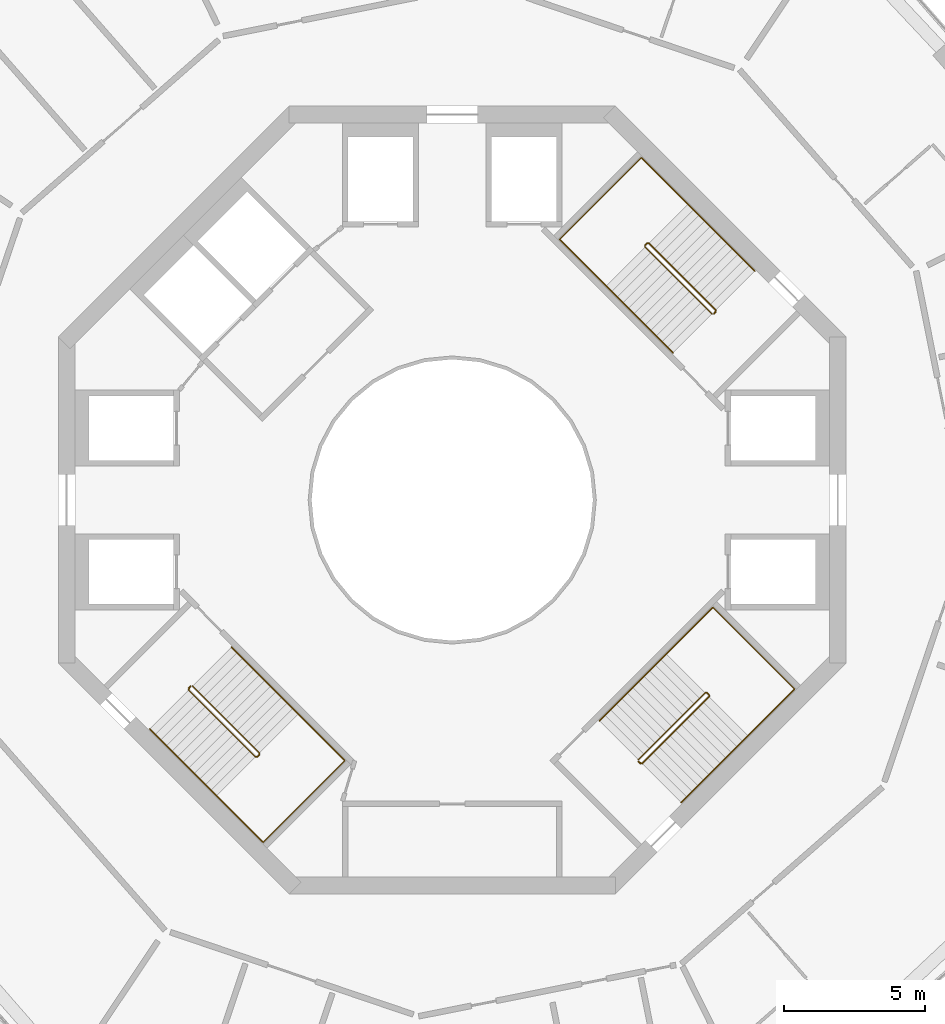
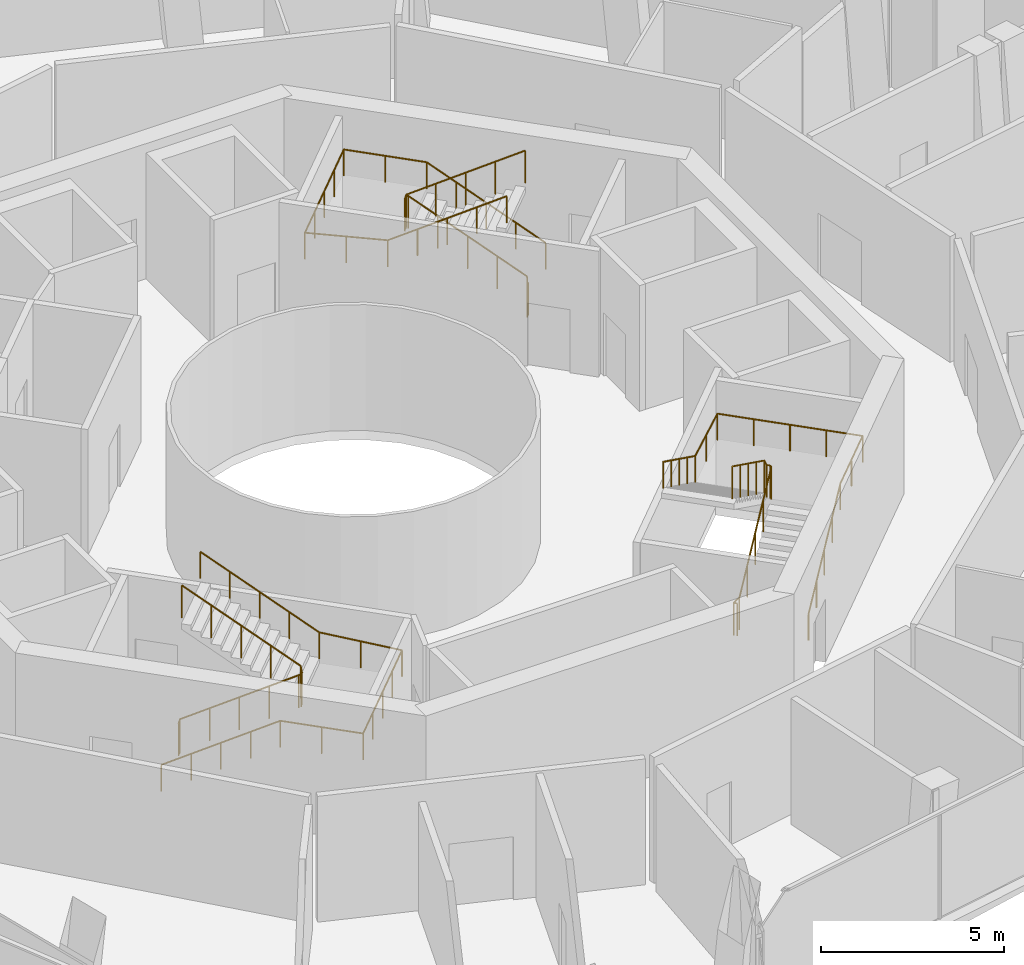
# One storey, part 17 of 17: 6 railings.
"""IFC4 building model written with IfcOpenShell, lengths in metres."""

from ifc_helpers import new_model, si_unit, direction, frame, origin, origin_2d, place, context, subcontext, project, spatial, circle, extrude, material, type_object, element, save


model = new_model("IFC4")

# Units and contexts
model_context = context("Model", 3, precision=1e-05, world=origin(), true_north=direction((0.0, 1.0)))
body_context = subcontext(model_context, "Body", "Model", "MODEL_VIEW")
ifc_project = project(units=[si_unit("LENGTHUNIT", "METRE"), si_unit("AREAUNIT", "SQUARE_METRE"), si_unit("VOLUMEUNIT", "CUBIC_METRE"), si_unit("PLANEANGLEUNIT", "RADIAN"), si_unit("MASSUNIT", "GRAM", prefix="KILO")], contexts=[model_context])

# Site, building, storey
site_placement = place(None, origin())
site = spatial("IfcSite", under=ifc_project, at=site_placement, CompositionType="ELEMENT")
building_placement = place(site_placement, origin())
building = spatial("IfcBuilding", under=site, at=building_placement, Name="Verdalira Terraces Hotel", CompositionType="ELEMENT")
storey_placement = place(building_placement, frame((0.0, 0.0, 201.0)))
storey = spatial("IfcBuildingStorey", under=building, at=storey_placement, Name="L49", CompositionType="ELEMENT", Elevation=201.0)

# Railings
ifc_material_1 = material(Name="Stainless steel", Category="steel")
railing_type_1 = type_object("IfcRailingType", Name="Stair guard 1100", PredefinedType="GUARDRAIL", material=ifc_material_1)
railing_1_placement = place(storey_placement, frame((9.369141, 6.682129, 0.0)))
element("IfcRailing", 1, at=railing_1_placement, inside=storey, type_object=railing_type_1, Name="L49 ST1 stair guard 1", PredefinedType="GUARDRAIL", context=body_context, shape_type="SweptSolid", body=[
    extrude(circle(Radius=0.023926, at=origin_2d()), frame((0.0, 0.0, 1.076172), z_axis=(-0.707106781, -0.707106781, 0.0), x_axis=(0.707106781, -0.707106781, 0.0)), (0.0, 0.0, 1.0), 0.100098),
    extrude(circle(Radius=0.023926, at=origin_2d()), frame((-0.070801, -0.070801, 1.076172), z_axis=(0.301824555, 0.60364911, 0.737908998), x_axis=(-0.894427191, 0.447213596, 0.0)), (0.0, 0.0, 1.0), 0.234619),
    extrude(circle(Radius=0.023926, at=origin_2d()), frame((0.0, 0.070801, 1.249023), z_axis=(-0.601505331, 0.601443524, 0.525791806), x_axis=(-0.707070449, -0.707143111, 0.0)), (0.0, 0.0, 1.0), 3.949951),
    extrude(circle(Radius=0.023926, at=origin_2d()), frame((-2.375977, 2.446533, 3.326172), z_axis=(-1.0, 0.0, 0.0), x_axis=(0.0, -1.0, 0.0)), (0.0, 0.0, 1.0), 0.070557),
    extrude(circle(Radius=0.023926, at=origin_2d()), frame((-2.446533, 2.446533, 3.326172), z_axis=(-0.70832698, -0.705884473, 0.0), x_axis=(0.705884473, -0.70832698, 0.0)), (0.0, 0.0, 1.0), 0.099854),
    extrude(circle(Radius=0.023926, at=origin_2d()), frame((-2.517334, 2.375977, 3.326172), z_axis=(0.0, -0.378582013, 0.92556775), x_axis=(1.0, 0.0, 0.0)), (0.0, 0.0, 1.0), 0.187012),
    extrude(circle(Radius=0.023926, at=origin_2d()), frame((-2.517334, 2.305176, 3.499023), z_axis=(0.601482972, -0.601482972, 0.52577226), x_axis=(0.707106781, 0.707106781, 0.0)), (0.0, 0.0, 1.0), 3.950195),
    extrude(circle(Radius=0.020996, at=origin_2d()), origin(), (0.0, 0.0, 1.0), 1.052002),
    extrude(circle(Radius=0.020996, at=origin_2d()), frame((-0.070801, -0.070801, 0.0)), (0.0, 0.0, 1.0), 1.052002),
    extrude(circle(Radius=0.020996, at=origin_2d()), frame((0.0, 0.070801, 0.173096)), (0.0, 0.0, 1.0), 1.052002),
    extrude(circle(Radius=0.020996, at=origin_2d()), frame((-0.593994, 0.664795, 0.692383)), (0.0, 0.0, 1.0), 1.052002),
    extrude(circle(Radius=0.020996, at=origin_2d()), frame((-1.187988, 1.258789, 1.211426)), (0.0, 0.0, 1.0), 1.052002),
    extrude(circle(Radius=0.020996, at=origin_2d()), frame((-1.781982, 1.852539, 1.730713)), (0.0, 0.0, 1.0), 1.052002),
    extrude(circle(Radius=0.020996, at=origin_2d()), frame((-2.375977, 2.446533, 2.25)), (0.0, 0.0, 1.0), 1.052002),
    extrude(circle(Radius=0.020996, at=origin_2d()), frame((-2.446533, 2.446533, 2.25)), (0.0, 0.0, 1.0), 1.052002),
    extrude(circle(Radius=0.020996, at=origin_2d()), frame((-2.517334, 2.375977, 2.25)), (0.0, 0.0, 1.0), 1.052002),
    extrude(circle(Radius=0.020996, at=origin_2d()), frame((-2.517334, 2.305176, 2.423096)), (0.0, 0.0, 1.0), 1.052002),
    extrude(circle(Radius=0.020996, at=origin_2d()), frame((-1.92334, 1.711182, 2.942383)), (0.0, 0.0, 1.0), 1.052002),
    extrude(circle(Radius=0.020996, at=origin_2d()), frame((-1.329346, 1.117188, 3.461426)), (0.0, 0.0, 1.0), 1.052002),
    extrude(circle(Radius=0.020996, at=origin_2d()), frame((-0.735352, 0.523193, 3.980713)), (0.0, 0.0, 1.0), 1.052002),
    extrude(circle(Radius=0.020996, at=origin_2d()), frame((-0.141357, -0.070801, 4.5)), (0.0, 0.0, 1.0), 1.052002),
])
railing_2_placement = place(storey_placement, frame((-9.369141, -6.682129, 0.0)))
element("IfcRailing", 2, at=railing_2_placement, inside=storey, type_object=railing_type_1, Name="L49 ST2 stair guard 1", PredefinedType="GUARDRAIL", context=body_context, shape_type="SweptSolid", body=[
    extrude(circle(Radius=0.023926, at=origin_2d()), frame((0.0, 0.0, 1.076172), z_axis=(0.707106781, 0.707106781, 0.0), x_axis=(-0.707106781, 0.707106781, 0.0)), (0.0, 0.0, 1.0), 0.100098),
    extrude(circle(Radius=0.023926, at=origin_2d()), frame((0.070801, 0.070801, 1.076172), z_axis=(-0.301824555, -0.60364911, 0.737908998), x_axis=(0.894427191, -0.447213596, 0.0)), (0.0, 0.0, 1.0), 0.234619),
    extrude(circle(Radius=0.023926, at=origin_2d()), frame((0.0, -0.070801, 1.249023), z_axis=(0.601505331, -0.601443524, 0.525791806), x_axis=(0.707070449, 0.707143111, 0.0)), (0.0, 0.0, 1.0), 3.949951),
    extrude(circle(Radius=0.023926, at=origin_2d()), frame((2.375977, -2.446533, 3.326172), z_axis=(1.0, 0.0, 0.0), x_axis=(0.0, 1.0, 0.0)), (0.0, 0.0, 1.0), 0.070557),
    extrude(circle(Radius=0.023926, at=origin_2d()), frame((2.446533, -2.446533, 3.326172), z_axis=(0.70832698, 0.705884473, 0.0), x_axis=(-0.705884473, 0.70832698, 0.0)), (0.0, 0.0, 1.0), 0.099854),
    extrude(circle(Radius=0.023926, at=origin_2d()), frame((2.517334, -2.375977, 3.326172), z_axis=(0.0, 0.378582013, 0.92556775), x_axis=(-1.0, 0.0, 0.0)), (0.0, 0.0, 1.0), 0.187012),
    extrude(circle(Radius=0.023926, at=origin_2d()), frame((2.517334, -2.305176, 3.499023), z_axis=(-0.601482972, 0.601482972, 0.52577226), x_axis=(-0.707106781, -0.707106781, 0.0)), (0.0, 0.0, 1.0), 3.950195),
    extrude(circle(Radius=0.020996, at=origin_2d()), origin(), (0.0, 0.0, 1.0), 1.052002),
    extrude(circle(Radius=0.020996, at=origin_2d()), frame((0.070801, 0.070801, 0.0)), (0.0, 0.0, 1.0), 1.052002),
    extrude(circle(Radius=0.020996, at=origin_2d()), frame((0.0, -0.070801, 0.173096)), (0.0, 0.0, 1.0), 1.052002),
    extrude(circle(Radius=0.020996, at=origin_2d()), frame((0.593994, -0.664795, 0.692383)), (0.0, 0.0, 1.0), 1.052002),
    extrude(circle(Radius=0.020996, at=origin_2d()), frame((1.187988, -1.258789, 1.211426)), (0.0, 0.0, 1.0), 1.052002),
    extrude(circle(Radius=0.020996, at=origin_2d()), frame((1.781982, -1.852539, 1.730713)), (0.0, 0.0, 1.0), 1.052002),
    extrude(circle(Radius=0.020996, at=origin_2d()), frame((2.375977, -2.446533, 2.25)), (0.0, 0.0, 1.0), 1.052002),
    extrude(circle(Radius=0.020996, at=origin_2d()), frame((2.446533, -2.446533, 2.25)), (0.0, 0.0, 1.0), 1.052002),
    extrude(circle(Radius=0.020996, at=origin_2d()), frame((2.517334, -2.375977, 2.25)), (0.0, 0.0, 1.0), 1.052002),
    extrude(circle(Radius=0.020996, at=origin_2d()), frame((2.517334, -2.305176, 2.423096)), (0.0, 0.0, 1.0), 1.052002),
    extrude(circle(Radius=0.020996, at=origin_2d()), frame((1.92334, -1.711182, 2.942383)), (0.0, 0.0, 1.0), 1.052002),
    extrude(circle(Radius=0.020996, at=origin_2d()), frame((1.329346, -1.117188, 3.461426)), (0.0, 0.0, 1.0), 1.052002),
    extrude(circle(Radius=0.020996, at=origin_2d()), frame((0.735352, -0.523193, 3.980713)), (0.0, 0.0, 1.0), 1.052002),
    extrude(circle(Radius=0.020996, at=origin_2d()), frame((0.141357, 0.070801, 4.5)), (0.0, 0.0, 1.0), 1.052002),
])
railing_3_placement = place(storey_placement, frame((6.682129, -9.369141, 0.0)))
element("IfcRailing", 3, at=railing_3_placement, inside=storey, type_object=railing_type_1, Name="L49 ST3 stair guard 1", PredefinedType="GUARDRAIL", context=body_context, shape_type="SweptSolid", body=[
    extrude(circle(Radius=0.023926, at=origin_2d()), frame((0.0, 0.0, 1.076172), z_axis=(-0.707106781, 0.707106781, 0.0), x_axis=(-0.707106781, -0.707106781, 0.0)), (0.0, 0.0, 1.0), 0.100098),
    extrude(circle(Radius=0.023926, at=origin_2d()), frame((-0.070801, 0.070801, 1.076172), z_axis=(0.60364911, -0.301824555, 0.737908998), x_axis=(0.447213596, 0.894427191, 0.0)), (0.0, 0.0, 1.0), 0.234619),
    extrude(circle(Radius=0.023926, at=origin_2d()), frame((0.070801, 0.0, 1.249023), z_axis=(0.601443524, 0.601505331, 0.525791806), x_axis=(-0.707143111, 0.707070449, 0.0)), (0.0, 0.0, 1.0), 3.949951),
    extrude(circle(Radius=0.023926, at=origin_2d()), frame((2.446533, 2.375977, 3.326172), z_axis=(0.0, 1.0, 0.0), x_axis=(-1.0, 0.0, 0.0)), (0.0, 0.0, 1.0), 0.070557),
    extrude(circle(Radius=0.023926, at=origin_2d()), frame((2.446533, 2.446533, 3.326172), z_axis=(-0.705884473, 0.70832698, 0.0), x_axis=(-0.70832698, -0.705884473, 0.0)), (0.0, 0.0, 1.0), 0.099854),
    extrude(circle(Radius=0.023926, at=origin_2d()), frame((2.375977, 2.517334, 3.326172), z_axis=(-0.378582013, 0.0, 0.92556775), x_axis=(0.0, -1.0, 0.0)), (0.0, 0.0, 1.0), 0.187012),
    extrude(circle(Radius=0.023926, at=origin_2d()), frame((2.305176, 2.517334, 3.499023), z_axis=(-0.601482972, -0.601482972, 0.52577226), x_axis=(0.707106781, -0.707106781, 0.0)), (0.0, 0.0, 1.0), 3.950195),
    extrude(circle(Radius=0.020996, at=origin_2d()), origin(), (0.0, 0.0, 1.0), 1.052002),
    extrude(circle(Radius=0.020996, at=origin_2d()), frame((-0.070801, 0.070801, 0.0)), (0.0, 0.0, 1.0), 1.052002),
    extrude(circle(Radius=0.020996, at=origin_2d()), frame((0.070801, 0.0, 0.173096)), (0.0, 0.0, 1.0), 1.052002),
    extrude(circle(Radius=0.020996, at=origin_2d()), frame((0.664795, 0.593994, 0.692383)), (0.0, 0.0, 1.0), 1.052002),
    extrude(circle(Radius=0.020996, at=origin_2d()), frame((1.258789, 1.187988, 1.211426)), (0.0, 0.0, 1.0), 1.052002),
    extrude(circle(Radius=0.020996, at=origin_2d()), frame((1.852539, 1.781982, 1.730713)), (0.0, 0.0, 1.0), 1.052002),
    extrude(circle(Radius=0.020996, at=origin_2d()), frame((2.446533, 2.375977, 2.25)), (0.0, 0.0, 1.0), 1.052002),
    extrude(circle(Radius=0.020996, at=origin_2d()), frame((2.446533, 2.446533, 2.25)), (0.0, 0.0, 1.0), 1.052002),
    extrude(circle(Radius=0.020996, at=origin_2d()), frame((2.375977, 2.517334, 2.25)), (0.0, 0.0, 1.0), 1.052002),
    extrude(circle(Radius=0.020996, at=origin_2d()), frame((2.305176, 2.517334, 2.423096)), (0.0, 0.0, 1.0), 1.052002),
    extrude(circle(Radius=0.020996, at=origin_2d()), frame((1.711182, 1.92334, 2.942383)), (0.0, 0.0, 1.0), 1.052002),
    extrude(circle(Radius=0.020996, at=origin_2d()), frame((1.117188, 1.329346, 3.461426)), (0.0, 0.0, 1.0), 1.052002),
    extrude(circle(Radius=0.020996, at=origin_2d()), frame((0.523193, 0.735352, 3.980713)), (0.0, 0.0, 1.0), 1.052002),
    extrude(circle(Radius=0.020996, at=origin_2d()), frame((-0.070801, 0.141357, 4.5)), (0.0, 0.0, 1.0), 1.052002),
])
ifc_material_2 = material(Name="Stainless steel", Category="steel")
railing_type_2 = type_object("IfcRailingType", Name="Stair handrail 900", PredefinedType="HANDRAIL", material=ifc_material_2)
railing_4_placement = place(storey_placement, frame((10.748047, 8.131836, 0.173096)))
element("IfcRailing", 4, at=railing_4_placement, inside=storey, type_object=railing_type_2, Name="L49 ST1 stair handrail 1", PredefinedType="HANDRAIL", context=body_context, shape_type="SweptSolid", body=[
    extrude(circle(Radius=0.023926, at=origin_2d()), frame((0.0, 0.0, 0.875977), z_axis=(-0.601505331, 0.601443524, 0.525791806), x_axis=(-0.707070449, -0.707143111, 0.0)), (0.0, 0.0, 1.0), 3.949951),
    extrude(circle(Radius=0.023926, at=origin_2d()), frame((-2.375977, 2.375732, 2.952637), z_axis=(-0.707054614, 0.707158945, 0.0), x_axis=(-0.707158945, -0.707054614, 0.0)), (0.0, 0.0, 1.0), 2.340088),
    extrude(circle(Radius=0.023926, at=origin_2d()), frame((-4.030518, 4.030518, 2.952637), z_axis=(-0.707106781, -0.707106781, 0.0), x_axis=(0.707106781, -0.707106781, 0.0)), (0.0, 0.0, 1.0), 4.100098),
    extrude(circle(Radius=0.023926, at=origin_2d()), frame((-6.929688, 1.131348, 2.952637), z_axis=(0.705128115, -0.705232163, 0.07376949), x_axis=(0.707158945, 0.707054614, 0.0)), (0.0, 0.0, 1.0), 2.346436),
    extrude(circle(Radius=0.023926, at=origin_2d()), frame((-5.275146, -0.523438, 3.125977), z_axis=(0.601505331, -0.601443524, 0.525791806), x_axis=(0.707070449, 0.707143111, 0.0)), (0.0, 0.0, 1.0), 3.949951),
    extrude(circle(Radius=0.020996, at=origin_2d()), origin(), (0.0, 0.0, 1.0), 0.851807),
    extrude(circle(Radius=0.020996, at=origin_2d()), frame((-0.593994, 0.593994, 0.519287)), (0.0, 0.0, 1.0), 0.851807),
    extrude(circle(Radius=0.020996, at=origin_2d()), frame((-1.187988, 1.187988, 1.038574)), (0.0, 0.0, 1.0), 0.851807),
    extrude(circle(Radius=0.020996, at=origin_2d()), frame((-1.781982, 1.781738, 1.557617)), (0.0, 0.0, 1.0), 0.851807),
    extrude(circle(Radius=0.020996, at=origin_2d()), frame((-2.375977, 2.375732, 2.076904)), (0.0, 0.0, 1.0), 0.851807),
    extrude(circle(Radius=0.020996, at=origin_2d()), frame((-3.203125, 3.203125, 2.076904)), (0.0, 0.0, 1.0), 0.851807),
    extrude(circle(Radius=0.020996, at=origin_2d()), frame((-4.030518, 4.030518, 2.076904)), (0.0, 0.0, 1.0), 0.851807),
    extrude(circle(Radius=0.020996, at=origin_2d()), frame((-4.755371, 3.305664, 2.076904)), (0.0, 0.0, 1.0), 0.851807),
    extrude(circle(Radius=0.020996, at=origin_2d()), frame((-5.47998, 2.581055, 2.076904)), (0.0, 0.0, 1.0), 0.851807),
    extrude(circle(Radius=0.020996, at=origin_2d()), frame((-6.204834, 1.856201, 2.076904)), (0.0, 0.0, 1.0), 0.851807),
    extrude(circle(Radius=0.020996, at=origin_2d()), frame((-6.929688, 1.131348, 2.076904)), (0.0, 0.0, 1.0), 0.851807),
    extrude(circle(Radius=0.020996, at=origin_2d()), frame((-6.102539, 0.303955, 2.163574)), (0.0, 0.0, 1.0), 0.851807),
    extrude(circle(Radius=0.020996, at=origin_2d()), frame((-5.275146, -0.523438, 2.25)), (0.0, 0.0, 1.0), 0.851807),
    extrude(circle(Radius=0.020996, at=origin_2d()), frame((-4.681152, -1.117432, 2.769287)), (0.0, 0.0, 1.0), 0.851807),
    extrude(circle(Radius=0.020996, at=origin_2d()), frame((-4.087158, -1.711426, 3.288574)), (0.0, 0.0, 1.0), 0.851807),
    extrude(circle(Radius=0.020996, at=origin_2d()), frame((-3.493164, -2.305176, 3.807617)), (0.0, 0.0, 1.0), 0.851807),
    extrude(circle(Radius=0.020996, at=origin_2d()), frame((-2.89917, -2.89917, 4.326904)), (0.0, 0.0, 1.0), 0.851807),
])
railing_5_placement = place(storey_placement, frame((-10.748047, -8.131836, 0.173096)))
element("IfcRailing", 5, at=railing_5_placement, inside=storey, type_object=railing_type_2, Name="L49 ST2 stair handrail 1", PredefinedType="HANDRAIL", context=body_context, shape_type="SweptSolid", body=[
    extrude(circle(Radius=0.023926, at=origin_2d()), frame((0.0, 0.0, 0.875977), z_axis=(0.601505331, -0.601443524, 0.525791806), x_axis=(0.707070449, 0.707143111, 0.0)), (0.0, 0.0, 1.0), 3.949951),
    extrude(circle(Radius=0.023926, at=origin_2d()), frame((2.375977, -2.375732, 2.952637), z_axis=(0.707054614, -0.707158945, 0.0), x_axis=(0.707158945, 0.707054614, 0.0)), (0.0, 0.0, 1.0), 2.340088),
    extrude(circle(Radius=0.023926, at=origin_2d()), frame((4.030518, -4.030518, 2.952637), z_axis=(0.707106781, 0.707106781, 0.0), x_axis=(-0.707106781, 0.707106781, 0.0)), (0.0, 0.0, 1.0), 4.100098),
    extrude(circle(Radius=0.023926, at=origin_2d()), frame((6.929688, -1.131348, 2.952637), z_axis=(-0.705128115, 0.705232163, 0.07376949), x_axis=(-0.707158945, -0.707054614, 0.0)), (0.0, 0.0, 1.0), 2.346436),
    extrude(circle(Radius=0.023926, at=origin_2d()), frame((5.275146, 0.523438, 3.125977), z_axis=(-0.601505331, 0.601443524, 0.525791806), x_axis=(-0.707070449, -0.707143111, 0.0)), (0.0, 0.0, 1.0), 3.949951),
    extrude(circle(Radius=0.020996, at=origin_2d()), origin(), (0.0, 0.0, 1.0), 0.851807),
    extrude(circle(Radius=0.020996, at=origin_2d()), frame((0.593994, -0.593994, 0.519287)), (0.0, 0.0, 1.0), 0.851807),
    extrude(circle(Radius=0.020996, at=origin_2d()), frame((1.187988, -1.187988, 1.038574)), (0.0, 0.0, 1.0), 0.851807),
    extrude(circle(Radius=0.020996, at=origin_2d()), frame((1.781982, -1.781738, 1.557617)), (0.0, 0.0, 1.0), 0.851807),
    extrude(circle(Radius=0.020996, at=origin_2d()), frame((2.375977, -2.375732, 2.076904)), (0.0, 0.0, 1.0), 0.851807),
    extrude(circle(Radius=0.020996, at=origin_2d()), frame((3.203125, -3.203125, 2.076904)), (0.0, 0.0, 1.0), 0.851807),
    extrude(circle(Radius=0.020996, at=origin_2d()), frame((4.030518, -4.030518, 2.076904)), (0.0, 0.0, 1.0), 0.851807),
    extrude(circle(Radius=0.020996, at=origin_2d()), frame((4.755371, -3.305664, 2.076904)), (0.0, 0.0, 1.0), 0.851807),
    extrude(circle(Radius=0.020996, at=origin_2d()), frame((5.47998, -2.581055, 2.076904)), (0.0, 0.0, 1.0), 0.851807),
    extrude(circle(Radius=0.020996, at=origin_2d()), frame((6.204834, -1.856201, 2.076904)), (0.0, 0.0, 1.0), 0.851807),
    extrude(circle(Radius=0.020996, at=origin_2d()), frame((6.929688, -1.131348, 2.076904)), (0.0, 0.0, 1.0), 0.851807),
    extrude(circle(Radius=0.020996, at=origin_2d()), frame((6.102539, -0.303955, 2.163574)), (0.0, 0.0, 1.0), 0.851807),
    extrude(circle(Radius=0.020996, at=origin_2d()), frame((5.275146, 0.523438, 2.25)), (0.0, 0.0, 1.0), 0.851807),
    extrude(circle(Radius=0.020996, at=origin_2d()), frame((4.681152, 1.117432, 2.769287)), (0.0, 0.0, 1.0), 0.851807),
    extrude(circle(Radius=0.020996, at=origin_2d()), frame((4.087158, 1.711426, 3.288574)), (0.0, 0.0, 1.0), 0.851807),
    extrude(circle(Radius=0.020996, at=origin_2d()), frame((3.493164, 2.305176, 3.807617)), (0.0, 0.0, 1.0), 0.851807),
    extrude(circle(Radius=0.020996, at=origin_2d()), frame((2.89917, 2.89917, 4.326904)), (0.0, 0.0, 1.0), 0.851807),
])
railing_6_placement = place(storey_placement, frame((8.131836, -10.748047, 0.173096)))
element("IfcRailing", 6, at=railing_6_placement, inside=storey, type_object=railing_type_2, Name="L49 ST3 stair handrail 1", PredefinedType="HANDRAIL", context=body_context, shape_type="SweptSolid", body=[
    extrude(circle(Radius=0.023926, at=origin_2d()), frame((0.0, 0.0, 0.875977), z_axis=(0.601443524, 0.601505331, 0.525791806), x_axis=(-0.707143111, 0.707070449, 0.0)), (0.0, 0.0, 1.0), 3.949951),
    extrude(circle(Radius=0.023926, at=origin_2d()), frame((2.375732, 2.375977, 2.952637), z_axis=(0.707158945, 0.707054614, 0.0), x_axis=(-0.707054614, 0.707158945, 0.0)), (0.0, 0.0, 1.0), 2.340088),
    extrude(circle(Radius=0.023926, at=origin_2d()), frame((4.030518, 4.030518, 2.952637), z_axis=(-0.707106781, 0.707106781, 0.0), x_axis=(-0.707106781, -0.707106781, 0.0)), (0.0, 0.0, 1.0), 4.100098),
    extrude(circle(Radius=0.023926, at=origin_2d()), frame((1.131348, 6.929688, 2.952637), z_axis=(-0.705232163, -0.705128115, 0.07376949), x_axis=(0.707054614, -0.707158945, 0.0)), (0.0, 0.0, 1.0), 2.346436),
    extrude(circle(Radius=0.023926, at=origin_2d()), frame((-0.523438, 5.275146, 3.125977), z_axis=(-0.601443524, -0.601505331, 0.525791806), x_axis=(0.707143111, -0.707070449, 0.0)), (0.0, 0.0, 1.0), 3.949951),
    extrude(circle(Radius=0.020996, at=origin_2d()), origin(), (0.0, 0.0, 1.0), 0.851807),
    extrude(circle(Radius=0.020996, at=origin_2d()), frame((0.593994, 0.593994, 0.519287)), (0.0, 0.0, 1.0), 0.851807),
    extrude(circle(Radius=0.020996, at=origin_2d()), frame((1.187988, 1.187988, 1.038574)), (0.0, 0.0, 1.0), 0.851807),
    extrude(circle(Radius=0.020996, at=origin_2d()), frame((1.781738, 1.781982, 1.557617)), (0.0, 0.0, 1.0), 0.851807),
    extrude(circle(Radius=0.020996, at=origin_2d()), frame((2.375732, 2.375977, 2.076904)), (0.0, 0.0, 1.0), 0.851807),
    extrude(circle(Radius=0.020996, at=origin_2d()), frame((3.203125, 3.203125, 2.076904)), (0.0, 0.0, 1.0), 0.851807),
    extrude(circle(Radius=0.020996, at=origin_2d()), frame((4.030518, 4.030518, 2.076904)), (0.0, 0.0, 1.0), 0.851807),
    extrude(circle(Radius=0.020996, at=origin_2d()), frame((3.305664, 4.755371, 2.076904)), (0.0, 0.0, 1.0), 0.851807),
    extrude(circle(Radius=0.020996, at=origin_2d()), frame((2.581055, 5.47998, 2.076904)), (0.0, 0.0, 1.0), 0.851807),
    extrude(circle(Radius=0.020996, at=origin_2d()), frame((1.856201, 6.204834, 2.076904)), (0.0, 0.0, 1.0), 0.851807),
    extrude(circle(Radius=0.020996, at=origin_2d()), frame((1.131348, 6.929688, 2.076904)), (0.0, 0.0, 1.0), 0.851807),
    extrude(circle(Radius=0.020996, at=origin_2d()), frame((0.303955, 6.102539, 2.163574)), (0.0, 0.0, 1.0), 0.851807),
    extrude(circle(Radius=0.020996, at=origin_2d()), frame((-0.523438, 5.275146, 2.25)), (0.0, 0.0, 1.0), 0.851807),
    extrude(circle(Radius=0.020996, at=origin_2d()), frame((-1.117432, 4.681152, 2.769287)), (0.0, 0.0, 1.0), 0.851807),
    extrude(circle(Radius=0.020996, at=origin_2d()), frame((-1.711426, 4.087158, 3.288574)), (0.0, 0.0, 1.0), 0.851807),
    extrude(circle(Radius=0.020996, at=origin_2d()), frame((-2.305176, 3.493164, 3.807617)), (0.0, 0.0, 1.0), 0.851807),
    extrude(circle(Radius=0.020996, at=origin_2d()), frame((-2.89917, 2.89917, 4.326904)), (0.0, 0.0, 1.0), 0.851807),
])

save(model, "model.ifc")
